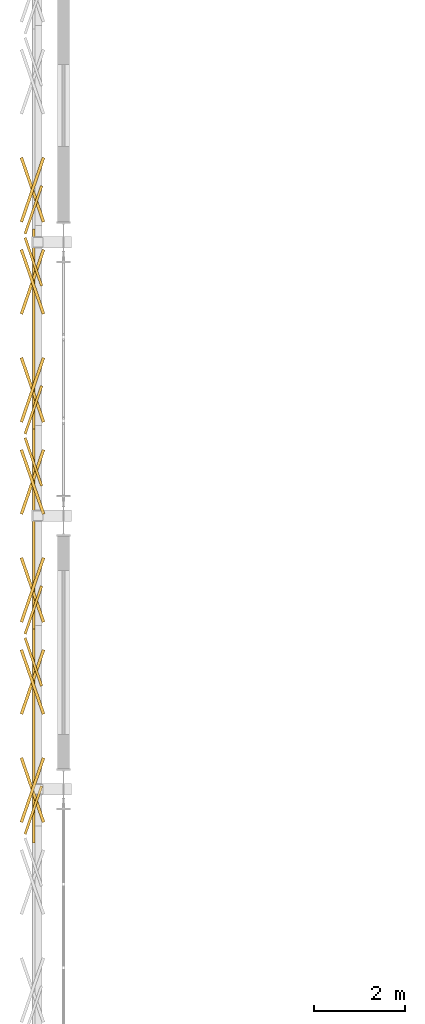
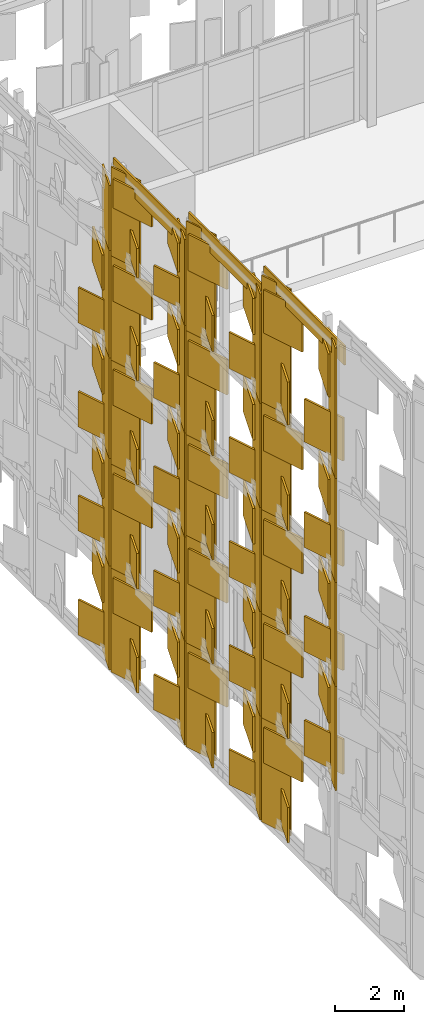
# One storey, part 193 of 210: 103 coverings.
"""IFC4 building model written with IfcOpenShell, lengths in metres."""

from ifc_helpers import new_model, si_unit, direction, frame, origin, origin_2d, place, context, subcontext, project, spatial, rectangle, extrude, material, layer, layer_set, type_object, element, save


model = new_model("IFC4")

# Units and contexts
model_context = context("Model", 3, precision=1e-05, world=origin(), true_north=direction((0.0, 1.0)))
body_context = subcontext(model_context, "Body", "Model", "MODEL_VIEW")
ifc_project = project(units=[si_unit("LENGTHUNIT", "METRE"), si_unit("AREAUNIT", "SQUARE_METRE"), si_unit("VOLUMEUNIT", "CUBIC_METRE"), si_unit("PLANEANGLEUNIT", "RADIAN"), si_unit("MASSUNIT", "GRAM", prefix="KILO")], contexts=[model_context])

# Site, building, storey
site_placement = place(None, origin())
site = spatial("IfcSite", under=ifc_project, at=site_placement, CompositionType="ELEMENT")
building_placement = place(site_placement, origin())
building = spatial("IfcBuilding", under=site, at=building_placement, Name="Kaldris Quays Convention Centre", CompositionType="ELEMENT")
storey_placement = place(building_placement, frame((0.0, 0.0, 6.0)))
storey = spatial("IfcBuildingStorey", under=building, at=storey_placement, Name="L01", CompositionType="ELEMENT", Elevation=6.0)

# Coverings
ifc_material = material(Name="Alabaster white star-pierced anodized aluminium panel", Category="aluminium")
ifc_layer = layer(ifc_material, 0.044921875)
ifc_layer_set = layer_set([ifc_layer], Name="Alabaster white star-pierced anodized aluminium panel")
covering_type = type_object("IfcCoveringType", Name="STAR PIERCED WHITE FOLDED SCREEN CL01", PredefinedType="CLADDING", material=ifc_layer_set)
covering_1_placement = place(storey_placement, frame((19.35009765625, 111.16845703125, 16.6728515625), z_axis=(0.0, 0.0, 1.0), x_axis=(0.0, 1.0, 0.0)))
element("IfcCovering", 1, at=covering_1_placement, inside=storey, type_object=covering_type, Name="V1W Gable White Screen Cap Band 364", PredefinedType="CLADDING", context=body_context, shape_type="SweptSolid", body=[
    extrude(rectangle(XDim=4.68896484375, YDim=0.054931640625, at=origin_2d()), origin(), (0.0, 0.0, 1.0), 0.679931640625),
])
covering_2_placement = place(storey_placement, frame((19.340087890625, 112.79248046875, -2.2099609375), z_axis=(0.0, 0.0, 1.0), x_axis=(-0.325568154457, 0.945518575599, 0.0)))
element("IfcCovering", 2, at=covering_2_placement, inside=storey, type_object=covering_type, Name="V1W Folded White Screen Stile 366", PredefinedType="CLADDING", context=body_context, shape_type="SweptSolid", body=[
    extrude(rectangle(XDim=1.114013671875, YDim=0.054931640625, at=origin_2d()), origin(), (0.0, 0.0, 1.0), 3.820068359375),
])
for number, where, z_axis, x_axis, name in (
    (3, (19.320068359375, 112.353515625, -1.92822265625), (0.0, 0.0, 1.0), (0.325568154457, 0.945518575599, 0.0), "V1W Carved Star Corner Facet 369"),
    (4, (19.320068359375, 112.353515625, 0.06982421875), (0.0, 0.0, 1.0), (-0.325568154457, 0.945518575599, 0.0), "V1W Carved Star Corner Facet 370"),
):
    element("IfcCovering", number, at=place(storey_placement, frame(where, z_axis=z_axis, x_axis=x_axis)), inside=storey, type_object=covering_type, Name=name, PredefinedType="CLADDING", context=body_context, shape_type="SweptSolid", body=[
        extrude(rectangle(XDim=1.491943359375, YDim=0.06494140625, at=origin_2d()), origin(), (0.0, 0.0, 1.0), 1.258056640625),
    ])
for number, where, z_axis, x_axis, name in (
    (5, (19.340087890625, 109.544189453125, 1.48974609375), (0.0, 0.0, 1.0), (0.325568154457, 0.945518575599, 0.0), "V1W Folded White Screen Stile 371"),
    (6, (19.340087890625, 112.79248046875, 1.48974609375), (0.0, 0.0, 1.0), (-0.325568154457, 0.945518575599, 0.0), "V1W Folded White Screen Stile 372"),
):
    element("IfcCovering", number, at=place(storey_placement, frame(where, z_axis=z_axis, x_axis=x_axis)), inside=storey, type_object=covering_type, Name=name, PredefinedType="CLADDING", context=body_context, shape_type="SweptSolid", body=[
        extrude(rectangle(XDim=1.114013671875, YDim=0.054931640625, at=origin_2d()), origin(), (0.0, 0.0, 1.0), 3.820068359375),
    ])
for number, where, z_axis, x_axis, name in (
    (7, (19.320068359375, 109.9833984375, 1.77197265625), (0.0, 0.0, 1.0), (-0.325568154457, 0.945518575599, 0.0), "V1W Carved Star Corner Facet 373"),
    (8, (19.320068359375, 109.9833984375, 3.77001953125), (0.0, 0.0, 1.0), (0.325568154457, 0.945518575599, 0.0), "V1W Carved Star Corner Facet 374"),
    (9, (19.320068359375, 112.353515625, 1.77197265625), (0.0, 0.0, 1.0), (0.325568154457, 0.945518575599, 0.0), "V1W Carved Star Corner Facet 375"),
    (10, (19.320068359375, 112.353515625, 3.77001953125), (0.0, 0.0, 1.0), (-0.325568154457, 0.945518575599, 0.0), "V1W Carved Star Corner Facet 376"),
):
    element("IfcCovering", number, at=place(storey_placement, frame(where, z_axis=z_axis, x_axis=x_axis)), inside=storey, type_object=covering_type, Name=name, PredefinedType="CLADDING", context=body_context, shape_type="SweptSolid", body=[
        extrude(rectangle(XDim=1.491943359375, YDim=0.06494140625, at=origin_2d()), origin(), (0.0, 0.0, 1.0), 1.258056640625),
    ])
for number, where, z_axis, x_axis, name in (
    (11, (19.340087890625, 109.544189453125, 5.18994140625), (0.0, 0.0, 1.0), (0.325568154457, 0.945518575599, 0.0), "V1W Folded White Screen Stile 377"),
    (12, (19.340087890625, 112.79248046875, 5.18994140625), (0.0, 0.0, 1.0), (-0.325568154457, 0.945518575599, 0.0), "V1W Folded White Screen Stile 378"),
):
    element("IfcCovering", number, at=place(storey_placement, frame(where, z_axis=z_axis, x_axis=x_axis)), inside=storey, type_object=covering_type, Name=name, PredefinedType="CLADDING", context=body_context, shape_type="SweptSolid", body=[
        extrude(rectangle(XDim=1.114013671875, YDim=0.054931640625, at=origin_2d()), origin(), (0.0, 0.0, 1.0), 3.820068359375),
    ])
for number, where, z_axis, x_axis, name in (
    (13, (19.320068359375, 109.9833984375, 5.47216796875), (0.0, 0.0, 1.0), (-0.325568154457, 0.945518575599, 0.0), "V1W Carved Star Corner Facet 379"),
    (14, (19.320068359375, 109.9833984375, 7.47021484375), (0.0, 0.0, 1.0), (0.325568154457, 0.945518575599, 0.0), "V1W Carved Star Corner Facet 380"),
    (15, (19.320068359375, 112.353515625, 5.47216796875), (0.0, 0.0, 1.0), (0.325568154457, 0.945518575599, 0.0), "V1W Carved Star Corner Facet 381"),
    (16, (19.320068359375, 112.353515625, 7.47021484375), (0.0, 0.0, 1.0), (-0.325568154457, 0.945518575599, 0.0), "V1W Carved Star Corner Facet 382"),
):
    element("IfcCovering", number, at=place(storey_placement, frame(where, z_axis=z_axis, x_axis=x_axis)), inside=storey, type_object=covering_type, Name=name, PredefinedType="CLADDING", context=body_context, shape_type="SweptSolid", body=[
        extrude(rectangle(XDim=1.491943359375, YDim=0.06494140625, at=origin_2d()), origin(), (0.0, 0.0, 1.0), 1.258056640625),
    ])
for number, where, z_axis, x_axis, name in (
    (17, (19.340087890625, 109.544189453125, 8.89013671875), (0.0, 0.0, 1.0), (0.325568154457, 0.945518575599, 0.0), "V1W Folded White Screen Stile 383"),
    (18, (19.340087890625, 112.79248046875, 8.89013671875), (0.0, 0.0, 1.0), (-0.325568154457, 0.945518575599, 0.0), "V1W Folded White Screen Stile 384"),
):
    element("IfcCovering", number, at=place(storey_placement, frame(where, z_axis=z_axis, x_axis=x_axis)), inside=storey, type_object=covering_type, Name=name, PredefinedType="CLADDING", context=body_context, shape_type="SweptSolid", body=[
        extrude(rectangle(XDim=1.114013671875, YDim=0.054931640625, at=origin_2d()), origin(), (0.0, 0.0, 1.0), 3.820068359375),
    ])
for number, where, z_axis, x_axis, name in (
    (19, (19.320068359375, 109.9833984375, 9.171875), (0.0, 0.0, 1.0), (-0.325568154457, 0.945518575599, 0.0), "V1W Carved Star Corner Facet 385"),
    (20, (19.320068359375, 109.9833984375, 11.169921875), (0.0, 0.0, 1.0), (0.325568154457, 0.945518575599, 0.0), "V1W Carved Star Corner Facet 386"),
    (21, (19.320068359375, 112.353515625, 9.171875), (0.0, 0.0, 1.0), (0.325568154457, 0.945518575599, 0.0), "V1W Carved Star Corner Facet 387"),
    (22, (19.320068359375, 112.353515625, 11.169921875), (0.0, 0.0, 1.0), (-0.325568154457, 0.945518575599, 0.0), "V1W Carved Star Corner Facet 388"),
):
    element("IfcCovering", number, at=place(storey_placement, frame(where, z_axis=z_axis, x_axis=x_axis)), inside=storey, type_object=covering_type, Name=name, PredefinedType="CLADDING", context=body_context, shape_type="SweptSolid", body=[
        extrude(rectangle(XDim=1.491943359375, YDim=0.06494140625, at=origin_2d()), origin(), (0.0, 0.0, 1.0), 1.258056640625),
    ])
for number, where, z_axis, x_axis, name in (
    (23, (19.340087890625, 109.544189453125, 12.58984375), (0.0, 0.0, 1.0), (0.325568154457, 0.945518575599, 0.0), "V1W Folded White Screen Stile 389"),
    (24, (19.340087890625, 112.79248046875, 12.58984375), (0.0, 0.0, 1.0), (-0.325568154457, 0.945518575599, 0.0), "V1W Folded White Screen Stile 390"),
):
    element("IfcCovering", number, at=place(storey_placement, frame(where, z_axis=z_axis, x_axis=x_axis)), inside=storey, type_object=covering_type, Name=name, PredefinedType="CLADDING", context=body_context, shape_type="SweptSolid", body=[
        extrude(rectangle(XDim=1.114013671875, YDim=0.054931640625, at=origin_2d()), origin(), (0.0, 0.0, 1.0), 4.633056640625),
    ])
for number, where, z_axis, x_axis, name in (
    (25, (19.320068359375, 109.9833984375, 12.9208984375), (0.0, 0.0, 1.0), (-0.325568154457, 0.945518575599, 0.0), "V1W Carved Star Corner Facet 391"),
    (26, (19.320068359375, 109.9833984375, 15.35791015625), (0.0, 0.0, 1.0), (0.325568154457, 0.945518575599, 0.0), "V1W Carved Star Corner Facet 392"),
    (27, (19.320068359375, 112.353515625, 12.9208984375), (0.0, 0.0, 1.0), (0.325568154457, 0.945518575599, 0.0), "V1W Carved Star Corner Facet 393"),
    (28, (19.320068359375, 112.353515625, 15.35791015625), (0.0, 0.0, 1.0), (-0.325568154457, 0.945518575599, 0.0), "V1W Carved Star Corner Facet 394"),
):
    element("IfcCovering", number, at=place(storey_placement, frame(where, z_axis=z_axis, x_axis=x_axis)), inside=storey, type_object=covering_type, Name=name, PredefinedType="CLADDING", context=body_context, shape_type="SweptSolid", body=[
        extrude(rectangle(XDim=1.491943359375, YDim=0.06494140625, at=origin_2d()), origin(), (0.0, 0.0, 1.0), 1.533935546875),
    ])
covering_3_placement = place(storey_placement, frame((19.35009765625, 115.557861328125, 15.94091796875), z_axis=(0.0, 0.0, 1.0), x_axis=(0.0, 1.0, 0.0)))
element("IfcCovering", 29, at=covering_3_placement, inside=storey, type_object=covering_type, Name="V1W Gable White Screen Cap Band 395", PredefinedType="CLADDING", context=body_context, shape_type="SweptSolid", body=[
    extrude(rectangle(XDim=4.68896484375, YDim=0.054931640625, at=origin_2d()), origin(), (0.0, 0.0, 1.0), 0.679931640625),
])
for number, where, z_axis, x_axis, name in (
    (30, (19.340087890625, 113.933837890625, -2.2099609375), (0.0, 0.0, 1.0), (0.325568154457, 0.945518575599, 0.0), "V1W Folded White Screen Stile 396"),
    (31, (19.340087890625, 117.181884765625, -2.2099609375), (0.0, 0.0, 1.0), (-0.325568154457, 0.945518575599, 0.0), "V1W Folded White Screen Stile 397"),
):
    element("IfcCovering", number, at=place(storey_placement, frame(where, z_axis=z_axis, x_axis=x_axis)), inside=storey, type_object=covering_type, Name=name, PredefinedType="CLADDING", context=body_context, shape_type="SweptSolid", body=[
        extrude(rectangle(XDim=1.114013671875, YDim=0.054931640625, at=origin_2d()), origin(), (0.0, 0.0, 1.0), 3.820068359375),
    ])
for number, where, z_axis, x_axis, name in (
    (32, (19.320068359375, 114.372802734375, -1.92822265625), (0.0, 0.0, 1.0), (-0.325568154457, 0.945518575599, 0.0), "V1W Carved Star Corner Facet 398"),
    (33, (19.320068359375, 114.372802734375, 0.06982421875), (0.0, 0.0, 1.0), (0.325568154457, 0.945518575599, 0.0), "V1W Carved Star Corner Facet 399"),
    (34, (19.320068359375, 116.7431640625, -1.92822265625), (0.0, 0.0, 1.0), (0.325568154457, 0.945518575599, 0.0), "V1W Carved Star Corner Facet 400"),
    (35, (19.320068359375, 116.7431640625, 0.06982421875), (0.0, 0.0, 1.0), (-0.325568154457, 0.945518575599, 0.0), "V1W Carved Star Corner Facet 401"),
):
    element("IfcCovering", number, at=place(storey_placement, frame(where, z_axis=z_axis, x_axis=x_axis)), inside=storey, type_object=covering_type, Name=name, PredefinedType="CLADDING", context=body_context, shape_type="SweptSolid", body=[
        extrude(rectangle(XDim=1.491943359375, YDim=0.06494140625, at=origin_2d()), origin(), (0.0, 0.0, 1.0), 1.258056640625),
    ])
for number, where, z_axis, x_axis, name in (
    (36, (19.340087890625, 113.933837890625, 1.48974609375), (0.0, 0.0, 1.0), (0.325568154457, 0.945518575599, 0.0), "V1W Folded White Screen Stile 402"),
    (37, (19.340087890625, 117.181884765625, 1.48974609375), (0.0, 0.0, 1.0), (-0.325568154457, 0.945518575599, 0.0), "V1W Folded White Screen Stile 403"),
):
    element("IfcCovering", number, at=place(storey_placement, frame(where, z_axis=z_axis, x_axis=x_axis)), inside=storey, type_object=covering_type, Name=name, PredefinedType="CLADDING", context=body_context, shape_type="SweptSolid", body=[
        extrude(rectangle(XDim=1.114013671875, YDim=0.054931640625, at=origin_2d()), origin(), (0.0, 0.0, 1.0), 3.820068359375),
    ])
for number, where, z_axis, x_axis, name in (
    (38, (19.320068359375, 114.372802734375, 1.77197265625), (0.0, 0.0, 1.0), (-0.325568154457, 0.945518575599, 0.0), "V1W Carved Star Corner Facet 404"),
    (39, (19.320068359375, 114.372802734375, 3.77001953125), (0.0, 0.0, 1.0), (0.325568154457, 0.945518575599, 0.0), "V1W Carved Star Corner Facet 405"),
    (40, (19.320068359375, 116.7431640625, 1.77197265625), (0.0, 0.0, 1.0), (0.325568154457, 0.945518575599, 0.0), "V1W Carved Star Corner Facet 406"),
    (41, (19.320068359375, 116.7431640625, 3.77001953125), (0.0, 0.0, 1.0), (-0.325568154457, 0.945518575599, 0.0), "V1W Carved Star Corner Facet 407"),
):
    element("IfcCovering", number, at=place(storey_placement, frame(where, z_axis=z_axis, x_axis=x_axis)), inside=storey, type_object=covering_type, Name=name, PredefinedType="CLADDING", context=body_context, shape_type="SweptSolid", body=[
        extrude(rectangle(XDim=1.491943359375, YDim=0.06494140625, at=origin_2d()), origin(), (0.0, 0.0, 1.0), 1.258056640625),
    ])
for number, where, z_axis, x_axis, name in (
    (42, (19.340087890625, 113.933837890625, 5.18994140625), (0.0, 0.0, 1.0), (0.325568154457, 0.945518575599, 0.0), "V1W Folded White Screen Stile 408"),
    (43, (19.340087890625, 117.181884765625, 5.18994140625), (0.0, 0.0, 1.0), (-0.325568154457, 0.945518575599, 0.0), "V1W Folded White Screen Stile 409"),
):
    element("IfcCovering", number, at=place(storey_placement, frame(where, z_axis=z_axis, x_axis=x_axis)), inside=storey, type_object=covering_type, Name=name, PredefinedType="CLADDING", context=body_context, shape_type="SweptSolid", body=[
        extrude(rectangle(XDim=1.114013671875, YDim=0.054931640625, at=origin_2d()), origin(), (0.0, 0.0, 1.0), 3.820068359375),
    ])
for number, where, z_axis, x_axis, name in (
    (44, (19.320068359375, 114.372802734375, 5.47216796875), (0.0, 0.0, 1.0), (-0.325568154457, 0.945518575599, 0.0), "V1W Carved Star Corner Facet 410"),
    (45, (19.320068359375, 114.372802734375, 7.47021484375), (0.0, 0.0, 1.0), (0.325568154457, 0.945518575599, 0.0), "V1W Carved Star Corner Facet 411"),
    (46, (19.320068359375, 116.7431640625, 5.47216796875), (0.0, 0.0, 1.0), (0.325568154457, 0.945518575599, 0.0), "V1W Carved Star Corner Facet 412"),
    (47, (19.320068359375, 116.7431640625, 7.47021484375), (0.0, 0.0, 1.0), (-0.325568154457, 0.945518575599, 0.0), "V1W Carved Star Corner Facet 413"),
):
    element("IfcCovering", number, at=place(storey_placement, frame(where, z_axis=z_axis, x_axis=x_axis)), inside=storey, type_object=covering_type, Name=name, PredefinedType="CLADDING", context=body_context, shape_type="SweptSolid", body=[
        extrude(rectangle(XDim=1.491943359375, YDim=0.06494140625, at=origin_2d()), origin(), (0.0, 0.0, 1.0), 1.258056640625),
    ])
for number, where, z_axis, x_axis, name in (
    (48, (19.340087890625, 113.933837890625, 8.89013671875), (0.0, 0.0, 1.0), (0.325568154457, 0.945518575599, 0.0), "V1W Folded White Screen Stile 414"),
    (49, (19.340087890625, 117.181884765625, 8.89013671875), (0.0, 0.0, 1.0), (-0.325568154457, 0.945518575599, 0.0), "V1W Folded White Screen Stile 415"),
):
    element("IfcCovering", number, at=place(storey_placement, frame(where, z_axis=z_axis, x_axis=x_axis)), inside=storey, type_object=covering_type, Name=name, PredefinedType="CLADDING", context=body_context, shape_type="SweptSolid", body=[
        extrude(rectangle(XDim=1.114013671875, YDim=0.054931640625, at=origin_2d()), origin(), (0.0, 0.0, 1.0), 3.820068359375),
    ])
for number, where, z_axis, x_axis, name in (
    (50, (19.320068359375, 114.372802734375, 9.171875), (0.0, 0.0, 1.0), (-0.325568154457, 0.945518575599, 0.0), "V1W Carved Star Corner Facet 416"),
    (51, (19.320068359375, 114.372802734375, 11.169921875), (0.0, 0.0, 1.0), (0.325568154457, 0.945518575599, 0.0), "V1W Carved Star Corner Facet 417"),
    (52, (19.320068359375, 116.7431640625, 9.171875), (0.0, 0.0, 1.0), (0.325568154457, 0.945518575599, 0.0), "V1W Carved Star Corner Facet 418"),
    (53, (19.320068359375, 116.7431640625, 11.169921875), (0.0, 0.0, 1.0), (-0.325568154457, 0.945518575599, 0.0), "V1W Carved Star Corner Facet 419"),
):
    element("IfcCovering", number, at=place(storey_placement, frame(where, z_axis=z_axis, x_axis=x_axis)), inside=storey, type_object=covering_type, Name=name, PredefinedType="CLADDING", context=body_context, shape_type="SweptSolid", body=[
        extrude(rectangle(XDim=1.491943359375, YDim=0.06494140625, at=origin_2d()), origin(), (0.0, 0.0, 1.0), 1.258056640625),
    ])
for number, where, z_axis, x_axis, name in (
    (54, (19.340087890625, 113.933837890625, 12.590087890625), (0.0, 0.0, 1.0), (0.325568154457, 0.945518575599, 0.0), "V1W Folded White Screen Stile 420"),
    (55, (19.340087890625, 117.181884765625, 12.590087890625), (0.0, 0.0, 1.0), (-0.325568154457, 0.945518575599, 0.0), "V1W Folded White Screen Stile 421"),
):
    element("IfcCovering", number, at=place(storey_placement, frame(where, z_axis=z_axis, x_axis=x_axis)), inside=storey, type_object=covering_type, Name=name, PredefinedType="CLADDING", context=body_context, shape_type="SweptSolid", body=[
        extrude(rectangle(XDim=1.114013671875, YDim=0.054931640625, at=origin_2d()), origin(), (0.0, 0.0, 1.0), 3.90087890625),
    ])
for number, where, z_axis, x_axis, name in (
    (56, (19.320068359375, 114.372802734375, 12.87646484375), (0.0, 0.0, 1.0), (-0.325568154457, 0.945518575599, 0.0), "V1W Carved Star Corner Facet 422"),
    (57, (19.320068359375, 114.372802734375, 14.91845703125), (0.0, 0.0, 1.0), (0.325568154457, 0.945518575599, 0.0), "V1W Carved Star Corner Facet 423"),
    (58, (19.320068359375, 116.7431640625, 12.87646484375), (0.0, 0.0, 1.0), (0.325568154457, 0.945518575599, 0.0), "V1W Carved Star Corner Facet 424"),
    (59, (19.320068359375, 116.7431640625, 14.91845703125), (0.0, 0.0, 1.0), (-0.325568154457, 0.945518575599, 0.0), "V1W Carved Star Corner Facet 425"),
):
    element("IfcCovering", number, at=place(storey_placement, frame(where, z_axis=z_axis, x_axis=x_axis)), inside=storey, type_object=covering_type, Name=name, PredefinedType="CLADDING", context=body_context, shape_type="SweptSolid", body=[
        extrude(rectangle(XDim=1.491943359375, YDim=0.06494140625, at=origin_2d()), origin(), (0.0, 0.0, 1.0), 1.285888671875),
    ])
covering_4_placement = place(storey_placement, frame((19.35009765625, 119.947509765625, 15.208984375), z_axis=(0.0, 0.0, 1.0), x_axis=(0.0, 1.0, 0.0)))
element("IfcCovering", 60, at=covering_4_placement, inside=storey, type_object=covering_type, Name="V1W Gable White Screen Cap Band 426", PredefinedType="CLADDING", context=body_context, shape_type="SweptSolid", body=[
    extrude(rectangle(XDim=4.68896484375, YDim=0.054931640625, at=origin_2d()), origin(), (0.0, 0.0, 1.0), 0.679931640625),
])
for number, where, z_axis, x_axis, name in (
    (61, (19.340087890625, 118.3232421875, -2.2099609375), (0.0, 0.0, 1.0), (0.325568154457, 0.945518575599, 0.0), "V1W Folded White Screen Stile 427"),
    (62, (19.340087890625, 121.571533203125, -2.2099609375), (0.0, 0.0, 1.0), (-0.325568154457, 0.945518575599, 0.0), "V1W Folded White Screen Stile 428"),
):
    element("IfcCovering", number, at=place(storey_placement, frame(where, z_axis=z_axis, x_axis=x_axis)), inside=storey, type_object=covering_type, Name=name, PredefinedType="CLADDING", context=body_context, shape_type="SweptSolid", body=[
        extrude(rectangle(XDim=1.114013671875, YDim=0.054931640625, at=origin_2d()), origin(), (0.0, 0.0, 1.0), 3.820068359375),
    ])
for number, where, z_axis, x_axis, name in (
    (63, (19.320068359375, 118.76220703125, -1.92822265625), (0.0, 0.0, 1.0), (-0.325568154457, 0.945518575599, 0.0), "V1W Carved Star Corner Facet 429"),
    (64, (19.320068359375, 118.76220703125, 0.06982421875), (0.0, 0.0, 1.0), (0.325568154457, 0.945518575599, 0.0), "V1W Carved Star Corner Facet 430"),
    (65, (19.320068359375, 121.132568359375, -1.92822265625), (0.0, 0.0, 1.0), (0.325568154457, 0.945518575599, 0.0), "V1W Carved Star Corner Facet 431"),
    (66, (19.320068359375, 121.132568359375, 0.06982421875), (0.0, 0.0, 1.0), (-0.325568154457, 0.945518575599, 0.0), "V1W Carved Star Corner Facet 432"),
):
    element("IfcCovering", number, at=place(storey_placement, frame(where, z_axis=z_axis, x_axis=x_axis)), inside=storey, type_object=covering_type, Name=name, PredefinedType="CLADDING", context=body_context, shape_type="SweptSolid", body=[
        extrude(rectangle(XDim=1.491943359375, YDim=0.06494140625, at=origin_2d()), origin(), (0.0, 0.0, 1.0), 1.258056640625),
    ])
for number, where, z_axis, x_axis, name in (
    (67, (19.340087890625, 118.3232421875, 1.48974609375), (0.0, 0.0, 1.0), (0.325568154457, 0.945518575599, 0.0), "V1W Folded White Screen Stile 433"),
    (68, (19.340087890625, 121.571533203125, 1.48974609375), (0.0, 0.0, 1.0), (-0.325568154457, 0.945518575599, 0.0), "V1W Folded White Screen Stile 434"),
):
    element("IfcCovering", number, at=place(storey_placement, frame(where, z_axis=z_axis, x_axis=x_axis)), inside=storey, type_object=covering_type, Name=name, PredefinedType="CLADDING", context=body_context, shape_type="SweptSolid", body=[
        extrude(rectangle(XDim=1.114013671875, YDim=0.054931640625, at=origin_2d()), origin(), (0.0, 0.0, 1.0), 3.820068359375),
    ])
for number, where, z_axis, x_axis, name in (
    (69, (19.320068359375, 118.76220703125, 1.77197265625), (0.0, 0.0, 1.0), (-0.325568154457, 0.945518575599, 0.0), "V1W Carved Star Corner Facet 435"),
    (70, (19.320068359375, 118.76220703125, 3.77001953125), (0.0, 0.0, 1.0), (0.325568154457, 0.945518575599, 0.0), "V1W Carved Star Corner Facet 436"),
    (71, (19.320068359375, 121.132568359375, 1.77197265625), (0.0, 0.0, 1.0), (0.325568154457, 0.945518575599, 0.0), "V1W Carved Star Corner Facet 437"),
    (72, (19.320068359375, 121.132568359375, 3.77001953125), (0.0, 0.0, 1.0), (-0.325568154457, 0.945518575599, 0.0), "V1W Carved Star Corner Facet 438"),
):
    element("IfcCovering", number, at=place(storey_placement, frame(where, z_axis=z_axis, x_axis=x_axis)), inside=storey, type_object=covering_type, Name=name, PredefinedType="CLADDING", context=body_context, shape_type="SweptSolid", body=[
        extrude(rectangle(XDim=1.491943359375, YDim=0.06494140625, at=origin_2d()), origin(), (0.0, 0.0, 1.0), 1.258056640625),
    ])
for number, where, z_axis, x_axis, name in (
    (73, (19.340087890625, 118.3232421875, 5.18994140625), (0.0, 0.0, 1.0), (0.325568154457, 0.945518575599, 0.0), "V1W Folded White Screen Stile 439"),
    (74, (19.340087890625, 121.571533203125, 5.18994140625), (0.0, 0.0, 1.0), (-0.325568154457, 0.945518575599, 0.0), "V1W Folded White Screen Stile 440"),
):
    element("IfcCovering", number, at=place(storey_placement, frame(where, z_axis=z_axis, x_axis=x_axis)), inside=storey, type_object=covering_type, Name=name, PredefinedType="CLADDING", context=body_context, shape_type="SweptSolid", body=[
        extrude(rectangle(XDim=1.114013671875, YDim=0.054931640625, at=origin_2d()), origin(), (0.0, 0.0, 1.0), 3.820068359375),
    ])
for number, where, z_axis, x_axis, name in (
    (75, (19.320068359375, 118.76220703125, 5.47216796875), (0.0, 0.0, 1.0), (-0.325568154457, 0.945518575599, 0.0), "V1W Carved Star Corner Facet 441"),
    (76, (19.320068359375, 118.76220703125, 7.47021484375), (0.0, 0.0, 1.0), (0.325568154457, 0.945518575599, 0.0), "V1W Carved Star Corner Facet 442"),
    (77, (19.320068359375, 121.132568359375, 5.47216796875), (0.0, 0.0, 1.0), (0.325568154457, 0.945518575599, 0.0), "V1W Carved Star Corner Facet 443"),
    (78, (19.320068359375, 121.132568359375, 7.47021484375), (0.0, 0.0, 1.0), (-0.325568154457, 0.945518575599, 0.0), "V1W Carved Star Corner Facet 444"),
):
    element("IfcCovering", number, at=place(storey_placement, frame(where, z_axis=z_axis, x_axis=x_axis)), inside=storey, type_object=covering_type, Name=name, PredefinedType="CLADDING", context=body_context, shape_type="SweptSolid", body=[
        extrude(rectangle(XDim=1.491943359375, YDim=0.06494140625, at=origin_2d()), origin(), (0.0, 0.0, 1.0), 1.258056640625),
    ])
for number, where, z_axis, x_axis, name in (
    (79, (19.340087890625, 118.3232421875, 8.89013671875), (0.0, 0.0, 1.0), (0.325568154457, 0.945518575599, 0.0), "V1W Folded White Screen Stile 445"),
    (80, (19.340087890625, 121.571533203125, 8.89013671875), (0.0, 0.0, 1.0), (-0.325568154457, 0.945518575599, 0.0), "V1W Folded White Screen Stile 446"),
):
    element("IfcCovering", number, at=place(storey_placement, frame(where, z_axis=z_axis, x_axis=x_axis)), inside=storey, type_object=covering_type, Name=name, PredefinedType="CLADDING", context=body_context, shape_type="SweptSolid", body=[
        extrude(rectangle(XDim=1.114013671875, YDim=0.054931640625, at=origin_2d()), origin(), (0.0, 0.0, 1.0), 3.820068359375),
    ])
for number, where, z_axis, x_axis, name in (
    (81, (19.320068359375, 118.76220703125, 9.171875), (0.0, 0.0, 1.0), (-0.325568154457, 0.945518575599, 0.0), "V1W Carved Star Corner Facet 447"),
    (82, (19.320068359375, 118.76220703125, 11.169921875), (0.0, 0.0, 1.0), (0.325568154457, 0.945518575599, 0.0), "V1W Carved Star Corner Facet 448"),
    (83, (19.320068359375, 121.132568359375, 9.171875), (0.0, 0.0, 1.0), (0.325568154457, 0.945518575599, 0.0), "V1W Carved Star Corner Facet 449"),
    (84, (19.320068359375, 121.132568359375, 11.169921875), (0.0, 0.0, 1.0), (-0.325568154457, 0.945518575599, 0.0), "V1W Carved Star Corner Facet 450"),
):
    element("IfcCovering", number, at=place(storey_placement, frame(where, z_axis=z_axis, x_axis=x_axis)), inside=storey, type_object=covering_type, Name=name, PredefinedType="CLADDING", context=body_context, shape_type="SweptSolid", body=[
        extrude(rectangle(XDim=1.491943359375, YDim=0.06494140625, at=origin_2d()), origin(), (0.0, 0.0, 1.0), 1.258056640625),
    ])
for number, where, z_axis, x_axis, name in (
    (85, (19.340087890625, 118.3232421875, 12.590087890625), (0.0, 0.0, 1.0), (0.325568154457, 0.945518575599, 0.0), "V1W Folded White Screen Stile 451"),
    (86, (19.340087890625, 121.571533203125, 12.590087890625), (0.0, 0.0, 1.0), (-0.325568154457, 0.945518575599, 0.0), "V1W Folded White Screen Stile 452"),
):
    element("IfcCovering", number, at=place(storey_placement, frame(where, z_axis=z_axis, x_axis=x_axis)), inside=storey, type_object=covering_type, Name=name, PredefinedType="CLADDING", context=body_context, shape_type="SweptSolid", body=[
        extrude(rectangle(XDim=1.114013671875, YDim=0.054931640625, at=origin_2d()), origin(), (0.0, 0.0, 1.0), 3.1689453125),
    ])
for number, where, z_axis, x_axis, name in (
    (87, (19.320068359375, 118.76220703125, 12.832763671875), (0.0, 0.0, 1.0), (-0.325568154457, 0.945518575599, 0.0), "V1W Carved Star Corner Facet 453"),
    (88, (19.320068359375, 118.76220703125, 14.479248046875), (0.0, 0.0, 1.0), (0.325568154457, 0.945518575599, 0.0), "V1W Carved Star Corner Facet 454"),
    (89, (19.320068359375, 121.132568359375, 12.832763671875), (0.0, 0.0, 1.0), (0.325568154457, 0.945518575599, 0.0), "V1W Carved Star Corner Facet 455"),
    (90, (19.320068359375, 121.132568359375, 14.479248046875), (0.0, 0.0, 1.0), (-0.325568154457, 0.945518575599, 0.0), "V1W Carved Star Corner Facet 456"),
):
    element("IfcCovering", number, at=place(storey_placement, frame(where, z_axis=z_axis, x_axis=x_axis)), inside=storey, type_object=covering_type, Name=name, PredefinedType="CLADDING", context=body_context, shape_type="SweptSolid", body=[
        extrude(rectangle(XDim=1.491943359375, YDim=0.06494140625, at=origin_2d()), origin(), (0.0, 0.0, 1.0), 1.037109375),
    ])
covering_5_placement = place(storey_placement, frame((19.340087890625, 122.712646484375, -2.2099609375), z_axis=(0.0, 0.0, 1.0), x_axis=(0.325568154457, 0.945518575599, 0.0)))
element("IfcCovering", 91, at=covering_5_placement, inside=storey, type_object=covering_type, Name="V1W Folded White Screen Stile 458", PredefinedType="CLADDING", context=body_context, shape_type="SweptSolid", body=[
    extrude(rectangle(XDim=1.114013671875, YDim=0.054931640625, at=origin_2d()), origin(), (0.0, 0.0, 1.0), 3.820068359375),
])
for number, where, z_axis, x_axis, name in (
    (92, (19.320068359375, 123.151611328125, -1.92822265625), (0.0, 0.0, 1.0), (-0.325568154457, 0.945518575599, 0.0), "V1W Carved Star Corner Facet 460"),
    (93, (19.320068359375, 123.151611328125, 0.06982421875), (0.0, 0.0, 1.0), (0.325568154457, 0.945518575599, 0.0), "V1W Carved Star Corner Facet 461"),
):
    element("IfcCovering", number, at=place(storey_placement, frame(where, z_axis=z_axis, x_axis=x_axis)), inside=storey, type_object=covering_type, Name=name, PredefinedType="CLADDING", context=body_context, shape_type="SweptSolid", body=[
        extrude(rectangle(XDim=1.491943359375, YDim=0.06494140625, at=origin_2d()), origin(), (0.0, 0.0, 1.0), 1.258056640625),
    ])
covering_6_placement = place(storey_placement, frame((19.340087890625, 122.712646484375, 1.48974609375), z_axis=(0.0, 0.0, 1.0), x_axis=(0.325568154457, 0.945518575599, 0.0)))
element("IfcCovering", 94, at=covering_6_placement, inside=storey, type_object=covering_type, Name="V1W Folded White Screen Stile 464", PredefinedType="CLADDING", context=body_context, shape_type="SweptSolid", body=[
    extrude(rectangle(XDim=1.114013671875, YDim=0.054931640625, at=origin_2d()), origin(), (0.0, 0.0, 1.0), 3.820068359375),
])
for number, where, z_axis, x_axis, name in (
    (95, (19.320068359375, 123.151611328125, 1.77197265625), (0.0, 0.0, 1.0), (-0.325568154457, 0.945518575599, 0.0), "V1W Carved Star Corner Facet 466"),
    (96, (19.320068359375, 123.151611328125, 3.77001953125), (0.0, 0.0, 1.0), (0.325568154457, 0.945518575599, 0.0), "V1W Carved Star Corner Facet 467"),
):
    element("IfcCovering", number, at=place(storey_placement, frame(where, z_axis=z_axis, x_axis=x_axis)), inside=storey, type_object=covering_type, Name=name, PredefinedType="CLADDING", context=body_context, shape_type="SweptSolid", body=[
        extrude(rectangle(XDim=1.491943359375, YDim=0.06494140625, at=origin_2d()), origin(), (0.0, 0.0, 1.0), 1.258056640625),
    ])
covering_7_placement = place(storey_placement, frame((19.340087890625, 122.712646484375, 5.18994140625), z_axis=(0.0, 0.0, 1.0), x_axis=(0.325568154457, 0.945518575599, 0.0)))
element("IfcCovering", 97, at=covering_7_placement, inside=storey, type_object=covering_type, Name="V1W Folded White Screen Stile 470", PredefinedType="CLADDING", context=body_context, shape_type="SweptSolid", body=[
    extrude(rectangle(XDim=1.114013671875, YDim=0.054931640625, at=origin_2d()), origin(), (0.0, 0.0, 1.0), 3.820068359375),
])
for number, where, z_axis, x_axis, name in (
    (98, (19.320068359375, 123.151611328125, 5.47216796875), (0.0, 0.0, 1.0), (-0.325568154457, 0.945518575599, 0.0), "V1W Carved Star Corner Facet 472"),
    (99, (19.320068359375, 123.151611328125, 7.47021484375), (0.0, 0.0, 1.0), (0.325568154457, 0.945518575599, 0.0), "V1W Carved Star Corner Facet 473"),
):
    element("IfcCovering", number, at=place(storey_placement, frame(where, z_axis=z_axis, x_axis=x_axis)), inside=storey, type_object=covering_type, Name=name, PredefinedType="CLADDING", context=body_context, shape_type="SweptSolid", body=[
        extrude(rectangle(XDim=1.491943359375, YDim=0.06494140625, at=origin_2d()), origin(), (0.0, 0.0, 1.0), 1.258056640625),
    ])
covering_8_placement = place(storey_placement, frame((19.340087890625, 122.712646484375, 8.89013671875), z_axis=(0.0, 0.0, 1.0), x_axis=(0.325568154457, 0.945518575599, 0.0)))
element("IfcCovering", 100, at=covering_8_placement, inside=storey, type_object=covering_type, Name="V1W Folded White Screen Stile 476", PredefinedType="CLADDING", context=body_context, shape_type="SweptSolid", body=[
    extrude(rectangle(XDim=1.114013671875, YDim=0.054931640625, at=origin_2d()), origin(), (0.0, 0.0, 1.0), 3.820068359375),
])
for number, where, z_axis, x_axis, name in (
    (101, (19.320068359375, 123.151611328125, 9.171875), (0.0, 0.0, 1.0), (-0.325568154457, 0.945518575599, 0.0), "V1W Carved Star Corner Facet 478"),
    (102, (19.320068359375, 123.151611328125, 11.169921875), (0.0, 0.0, 1.0), (0.325568154457, 0.945518575599, 0.0), "V1W Carved Star Corner Facet 479"),
):
    element("IfcCovering", number, at=place(storey_placement, frame(where, z_axis=z_axis, x_axis=x_axis)), inside=storey, type_object=covering_type, Name=name, PredefinedType="CLADDING", context=body_context, shape_type="SweptSolid", body=[
        extrude(rectangle(XDim=1.491943359375, YDim=0.06494140625, at=origin_2d()), origin(), (0.0, 0.0, 1.0), 1.258056640625),
    ])
covering_9_placement = place(storey_placement, frame((19.340087890625, 122.712646484375, 12.590087890625), z_axis=(0.0, 0.0, 1.0), x_axis=(0.325568154457, 0.945518575599, 0.0)))
element("IfcCovering", 103, at=covering_9_placement, inside=storey, type_object=covering_type, Name="V1W Folded White Screen Stile 482", PredefinedType="CLADDING", context=body_context, shape_type="SweptSolid", body=[
    extrude(rectangle(XDim=1.114013671875, YDim=0.054931640625, at=origin_2d()), origin(), (0.0, 0.0, 1.0), 2.43798828125),
])

save(model, "model.ifc")
